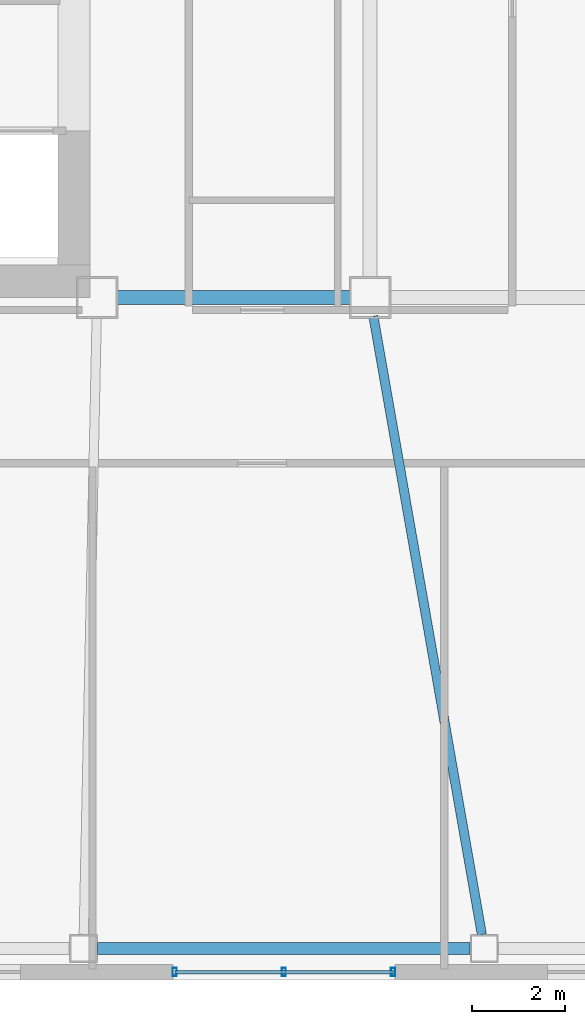
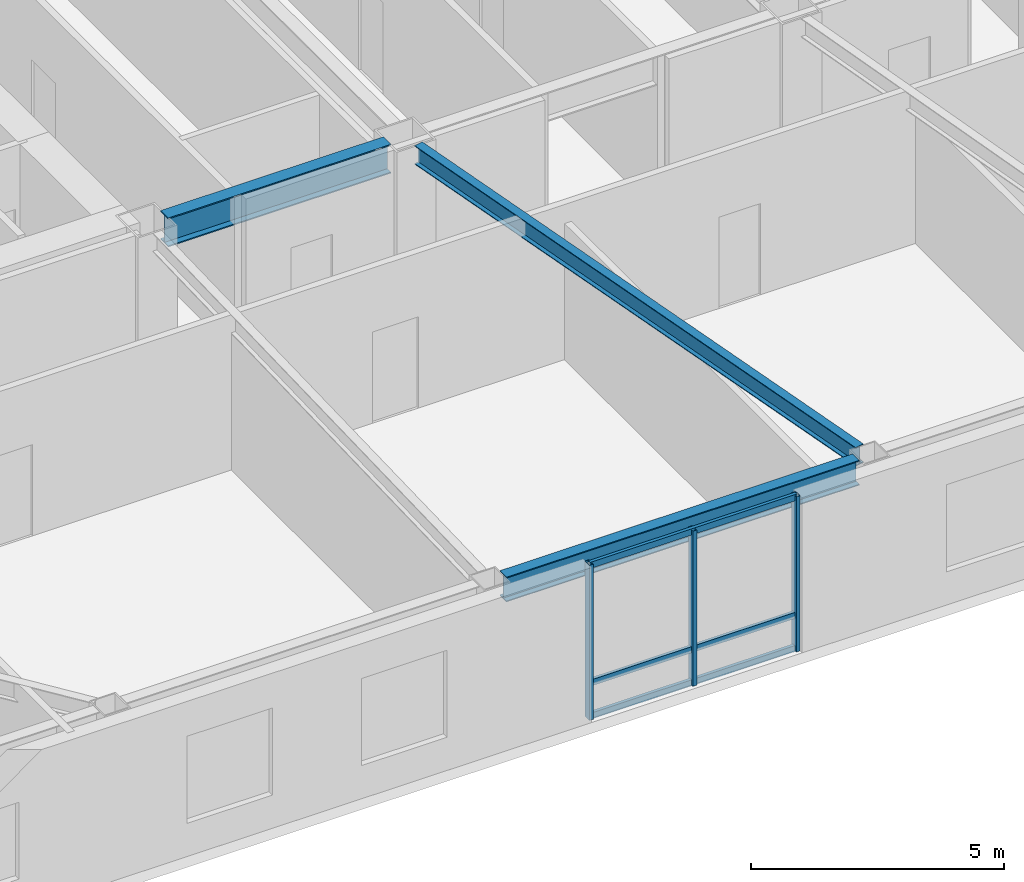
# One storey, part 4 of 20: 6 members, 3 beams, 1 element without a shape of its own.
"""IFC4 building model written with IfcOpenShell, lengths in metres."""

from ifc_helpers import new_model, si_unit, direction, frame, origin, origin_2d, place, context, subcontext, project, spatial, hollow_rectangle, i_section, extrude, material, layer, layer_set, material_profile, profile_set, type_object, element, aggregate, save


model = new_model("IFC4")

# Units and contexts
model_context = context("Model", 3, precision=1e-05, world=origin(), true_north=direction((0.0, 1.0)))
body_context = subcontext(model_context, "Body", "Model", "MODEL_VIEW")
ifc_project = project(units=[si_unit("LENGTHUNIT", "METRE"), si_unit("AREAUNIT", "SQUARE_METRE"), si_unit("VOLUMEUNIT", "CUBIC_METRE"), si_unit("PLANEANGLEUNIT", "RADIAN"), si_unit("MASSUNIT", "GRAM", prefix="KILO")], contexts=[model_context])

# Site, building, storey
site_placement = place(None, origin())
site = spatial("IfcSite", under=ifc_project, at=site_placement, CompositionType="ELEMENT")
building_placement = place(site_placement, origin())
building = spatial("IfcBuilding", under=site, at=building_placement, Name="Tavrogorsk Clinical Tower", CompositionType="ELEMENT")
storey_placement = place(building_placement, frame((0.0, 0.0, 176.199951171875)))
storey = spatial("IfcBuildingStorey", under=building, at=storey_placement, Name="L40", CompositionType="ELEMENT", Elevation=176.199951171875)

# Curtain wall, members
ifc_material_1 = material(Name="Anodised aluminium and triple IGU glazing", Category="aluminium")
ifc_layer = layer(ifc_material_1, 0.179931640625)
ifc_layer_set = layer_set([ifc_layer], Name="Anodised aluminium and triple IGU glazing")
curtain_wall_type = type_object("IfcCurtainWallType", Name="CW3_SouthSlot", PredefinedType="NOTDEFINED", material=ifc_layer_set)
curtain_wall_placement = place(storey_placement, origin())
curtain_wall = element("IfcCurtainWall", 1, at=curtain_wall_placement, inside=storey, type_object=curtain_wall_type, Name="L40 Curtain Wall CW-L40-S-SLOT-1", PredefinedType="NOTDEFINED")
ifc_material_2 = material(Name="Anodised aluminium alloy AW-6060", Category="aluminium")
ifc_material_profile_1 = material_profile(ifc_material_2, hollow_rectangle(XDim=0.090087890625, YDim=0.179931640625, WallThickness=0.00634765625, at=origin_2d()), Name="RHS-180x90x6.3")
ifc_profile_set_1 = profile_set([ifc_material_profile_1], Name="Anodised aluminium alloy AW-6060")
member_type_1 = type_object("IfcMemberType", Name="CwMullion_180x90", PredefinedType="MULLION", material=ifc_profile_set_1)
member_1_placement = place(storey_placement, frame((-8.621826171875, -20.929931640625, 0.0), z_axis=(0.0, 0.0, 1.0), x_axis=(1.0, 0.0, 0.0)))
member_1 = element("IfcMember", 2, at=member_1_placement, type_object=member_type_1, Name="CW-L40-S-SLOT-1 Mullion 1", PredefinedType="MULLION", context=body_context, shape_type="SweptSolid", body=[
    extrude(hollow_rectangle(XDim=0.090087890625, YDim=0.179931640625, WallThickness=0.00634765625, at=origin_2d()), origin(), (0.0, 0.0, 1.0), 3.739990234375),
])
member_2_placement = place(storey_placement, frame((-6.262939453125, -20.929931640625, 0.0), z_axis=(0.0, 0.0, 1.0), x_axis=(1.0, 0.0, 0.0)))
member_2 = element("IfcMember", 3, at=member_2_placement, type_object=member_type_1, Name="CW-L40-S-SLOT-1 Mullion 2", PredefinedType="MULLION", context=body_context, shape_type="SweptSolid", body=[
    extrude(hollow_rectangle(XDim=0.090087890625, YDim=0.179931640625, WallThickness=0.00634765625, at=origin_2d()), origin(), (0.0, 0.0, 1.0), 3.739990234375),
])
member_3_placement = place(storey_placement, frame((-3.90380859375, -20.929931640625, 0.0), z_axis=(0.0, 0.0, 1.0), x_axis=(1.0, 0.0, 0.0)))
member_3 = element("IfcMember", 4, at=member_3_placement, type_object=member_type_1, Name="CW-L40-S-SLOT-1 Mullion 3", PredefinedType="MULLION", context=body_context, shape_type="SweptSolid", body=[
    extrude(hollow_rectangle(XDim=0.090087890625, YDim=0.179931640625, WallThickness=0.00634765625, at=origin_2d()), origin(), (0.0, 0.0, 1.0), 3.739990234375),
])
ifc_material_3 = material(Name="Anodised aluminium alloy AW-6060", Category="aluminium")
ifc_material_profile_2 = material_profile(ifc_material_3, hollow_rectangle(XDim=0.074951171875, YDim=0.14990234375, WallThickness=0.0048828125, at=origin_2d()), Name="RHS-150x75x5")
ifc_profile_set_2 = profile_set([ifc_material_profile_2], Name="Anodised aluminium alloy AW-6060")
member_type_2 = type_object("IfcMemberType", Name="CwTransom_150x75", PredefinedType="USERDEFINED", material=ifc_profile_set_2)
member_4_placement = place(storey_placement, frame((-8.621826171875, -20.929931640625, 0.050048828125), z_axis=(1.0, 0.0, 0.0), x_axis=(0.0, 1.0, 0.0)))
member_4 = element("IfcMember", 5, at=member_4_placement, type_object=member_type_2, Name="CW-L40-S-SLOT-1 Transom 1", ObjectType="TRANSOM", PredefinedType="USERDEFINED", context=body_context, shape_type="SweptSolid", body=[
    extrude(hollow_rectangle(XDim=0.074951171875, YDim=0.14990234375, WallThickness=0.0048828125, at=origin_2d()), origin(), (0.0, 0.0, 1.0), 4.718017578125),
])
member_5_placement = place(storey_placement, frame((-8.621826171875, -20.929931640625, 0.85009765625), z_axis=(1.0, 0.0, 0.0), x_axis=(0.0, 1.0, 0.0)))
member_5 = element("IfcMember", 6, at=member_5_placement, type_object=member_type_2, Name="CW-L40-S-SLOT-1 Transom 2", ObjectType="TRANSOM", PredefinedType="USERDEFINED", context=body_context, shape_type="SweptSolid", body=[
    extrude(hollow_rectangle(XDim=0.074951171875, YDim=0.14990234375, WallThickness=0.0048828125, at=origin_2d()), origin(), (0.0, 0.0, 1.0), 4.718017578125),
])
member_6_placement = place(storey_placement, frame((-8.621826171875, -20.929931640625, 3.68994140625), z_axis=(1.0, 0.0, 0.0), x_axis=(0.0, 1.0, 0.0)))
member_6 = element("IfcMember", 7, at=member_6_placement, type_object=member_type_2, Name="CW-L40-S-SLOT-1 Transom 3", ObjectType="TRANSOM", PredefinedType="USERDEFINED", context=body_context, shape_type="SweptSolid", body=[
    extrude(hollow_rectangle(XDim=0.074951171875, YDim=0.14990234375, WallThickness=0.0048828125, at=origin_2d()), origin(), (0.0, 0.0, 1.0), 4.718017578125),
])
aggregate(curtain_wall, [member_1, member_2, member_3, member_4, member_5, member_6])

# Beams
ifc_material_4 = material(Name="Structural steel S355", Category="steel")
ifc_material_profile_3 = material_profile(ifc_material_4, i_section(OverallWidth=0.199951171875, OverallDepth=0.449951171875, WebThickness=0.011474609375, FlangeThickness=0.01806640625, at=origin_2d()), Name="B-450x200x11.5x18")
ifc_profile_set_3 = profile_set([ifc_material_profile_3], Name="Structural steel S355")
beam_type_1 = type_object("IfcBeamType", Name="FloorBeam_B450", PredefinedType="BEAM", material=ifc_profile_set_3)
beam_1_placement = place(storey_placement, frame((-4.3291015625, -6.75390625, 3.51513671875), z_axis=(0.172808972689, -0.984955358866, 0.0), x_axis=(0.984955358866, 0.172808972689, 0.0)))
element("IfcBeam", 8, at=beam_1_placement, inside=storey, type_object=beam_type_1, Name="L40 Radial Floor Beam S4", PredefinedType="BEAM", context=body_context, shape_type="SweptSolid", body=[
    extrude(i_section(OverallWidth=0.199951171875, OverallDepth=0.449951171875, WebThickness=0.011474609375, FlangeThickness=0.01806640625, at=origin_2d()), origin(), (0.0, 0.0, 1.0), 13.56689453125),
])
ifc_material_5 = material(Name="Structural steel S390", Category="steel")
ifc_material_profile_4 = material_profile(ifc_material_5, i_section(OverallWidth=0.300048828125, OverallDepth=0.699951171875, WebThickness=0.01708984375, FlangeThickness=0.028076171875, at=origin_2d()), Name="B-700x300x17x28")
ifc_profile_set_4 = profile_set([ifc_material_profile_4], Name="Structural steel S390")
beam_type_2 = type_object("IfcBeamType", Name="PrimaryGirder_B700", PredefinedType="USERDEFINED", material=ifc_profile_set_4)
beam_2_placement = place(storey_placement, frame((-9.889892578125, -6.35009765625, 3.39013671875), z_axis=(1.0, 0.0, 0.0), x_axis=(0.0, 1.0, 0.0)))
element("IfcBeam", 9, at=beam_2_placement, inside=storey, type_object=beam_type_2, Name="L40 Primary Spine Girder MG-01", ObjectType="GIRDER", PredefinedType="USERDEFINED", context=body_context, shape_type="SweptSolid", body=[
    extrude(i_section(OverallWidth=0.300048828125, OverallDepth=0.699951171875, WebThickness=0.01708984375, FlangeThickness=0.028076171875, at=origin_2d()), origin(), (0.0, 0.0, 1.0), 5.079833984375),
])
ifc_material_6 = material(Name="Structural steel S390", Category="steel")
ifc_material_profile_5 = material_profile(ifc_material_6, i_section(OverallWidth=0.260009765625, OverallDepth=0.60009765625, WebThickness=0.014892578125, FlangeThickness=0.02392578125, at=origin_2d()), Name="B-600x260x15x24")
ifc_profile_set_5 = profile_set([ifc_material_profile_5], Name="Structural steel S390")
beam_type_3 = type_object("IfcBeamType", Name="SpandrelBeam_B600", PredefinedType="SPANDREL", material=ifc_profile_set_5)
beam_3_placement = place(storey_placement, frame((-10.286376953125, -20.419921875, 3.43994140625), z_axis=(1.0, 0.0, 0.0), x_axis=(0.0, 1.0, 0.0)))
element("IfcBeam", 10, at=beam_3_placement, inside=storey, type_object=beam_type_3, Name="L40 Perimeter Spandrel S3-S4", PredefinedType="SPANDREL", context=body_context, shape_type="SweptSolid", body=[
    extrude(i_section(OverallWidth=0.260009765625, OverallDepth=0.60009765625, WebThickness=0.014892578125, FlangeThickness=0.02392578125, at=origin_2d()), origin(), (0.0, 0.0, 1.0), 8.046875),
])

save(model, "model.ifc")
